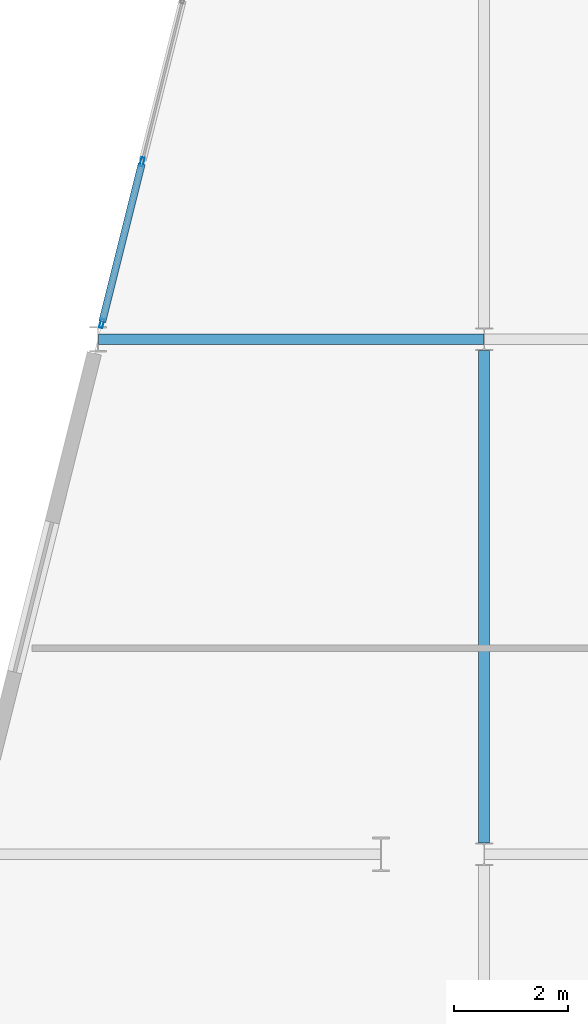
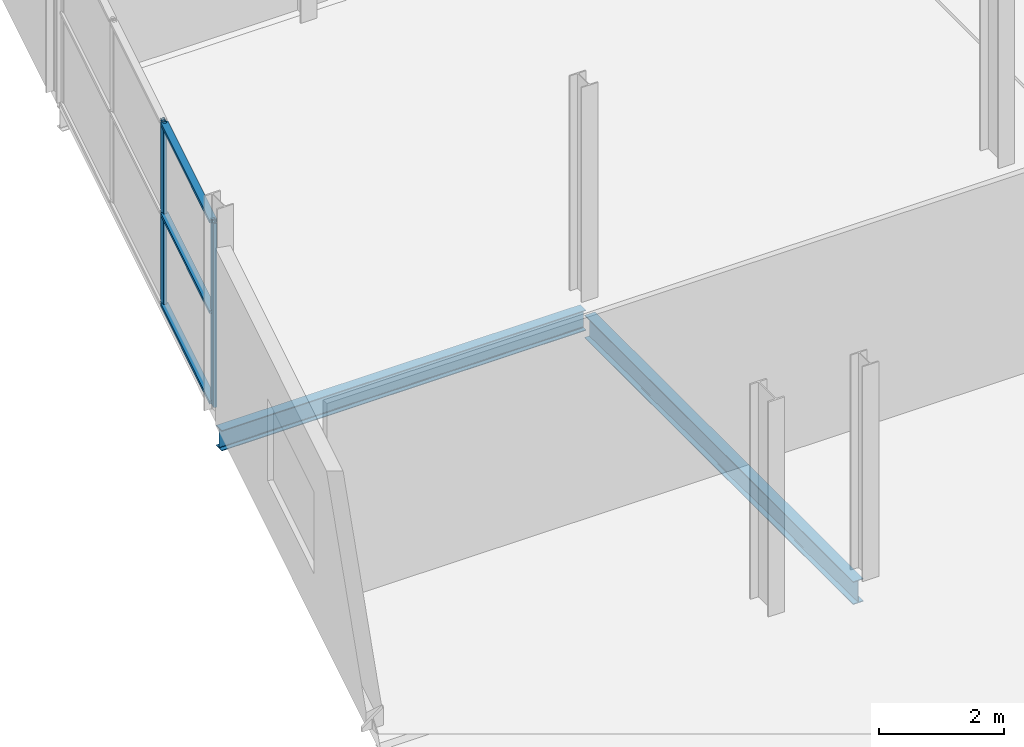
# One storey, part 44 of 103: 5 members, 2 beams, 1 element without a shape of its own.
"""IFC4 building model written with IfcOpenShell, lengths in metres."""

from ifc_helpers import new_model, si_unit, direction, frame, origin, origin_2d, place, context, subcontext, project, spatial, hollow_rectangle, i_section, extrude, material, layer, layer_set, material_profile, profile_set, type_object, element, aggregate, save


model = new_model("IFC4")

# Units and contexts
model_context = context("Model", 3, precision=1e-05, world=origin(), true_north=direction((0.0, 1.0)))
body_context = subcontext(model_context, "Body", "Model", "MODEL_VIEW")
ifc_project = project(units=[si_unit("LENGTHUNIT", "METRE"), si_unit("AREAUNIT", "SQUARE_METRE"), si_unit("VOLUMEUNIT", "CUBIC_METRE"), si_unit("PLANEANGLEUNIT", "RADIAN"), si_unit("MASSUNIT", "GRAM", prefix="KILO")], contexts=[model_context])

# Site, building, storey
site_placement = place(None, origin())
site = spatial("IfcSite", under=ifc_project, at=site_placement, CompositionType="ELEMENT")
building_placement = place(site_placement, origin())
building = spatial("IfcBuilding", under=site, at=building_placement, Name="Deido Ridge Mobility Hub", CompositionType="ELEMENT")
storey_placement = place(building_placement, frame((0.0, 0.0, 12.60009765625)))
storey = spatial("IfcBuildingStorey", under=building, at=storey_placement, Name="L03", CompositionType="ELEMENT", Elevation=12.60009765625)

# Beams
ifc_material_1 = material(Name="Steel S355J2 EN 10025-2", Category="steel")
ifc_material_profile_1 = material_profile(ifc_material_1, i_section(OverallWidth=0.179931640625, OverallDepth=0.39990234375, WebThickness=0.008544921875, FlangeThickness=0.013427734375, FilletRadius=0.02099609375, at=origin_2d()), Name="IPE 400")
ifc_profile_set_1 = profile_set([ifc_material_profile_1], Name="Steel S355J2 EN 10025-2")
beam_type_1 = type_object("IfcBeamType", Name="BM-IPE400", PredefinedType="BEAM", material=ifc_profile_set_1)
beam_1_placement = place(storey_placement, frame((128.257080078125, 27.0, -0.465087890625), z_axis=(1.0, 0.0, 0.0), x_axis=(0.0, 1.0, 0.0)))
element("IfcBeam", 1, at=beam_1_placement, inside=storey, type_object=beam_type_1, Name="Floor beam B5", PredefinedType="BEAM", context=body_context, shape_type="SweptSolid", body=[
    extrude(i_section(OverallWidth=0.179931640625, OverallDepth=0.39990234375, WebThickness=0.008544921875, FlangeThickness=0.013427734375, FilletRadius=0.02099609375, at=origin_2d()), origin(), (0.0, 0.0, 1.0), 6.736083984375),
])
ifc_material_profile_2 = material_profile(ifc_material_1, i_section(OverallWidth=0.18994140625, OverallDepth=0.449951171875, WebThickness=0.009521484375, FlangeThickness=0.0146484375, FilletRadius=0.02099609375, at=origin_2d()), Name="IPE 450")
ifc_profile_set_2 = profile_set([ifc_material_profile_2], Name="Steel S355J2 EN 10025-2")
beam_type_2 = type_object("IfcBeamType", Name="BM-IPE450", PredefinedType="BEAM", material=ifc_profile_set_2)
beam_2_placement = place(storey_placement, frame((135.0, 18.199951171875, -0.489990234375), z_axis=(0.0, 1.0, 0.0), x_axis=(-1.0, 0.0, 0.0)))
element("IfcBeam", 2, at=beam_2_placement, inside=storey, type_object=beam_type_2, Name="Floor beam B4", PredefinedType="BEAM", context=body_context, shape_type="SweptSolid", body=[
    extrude(i_section(OverallWidth=0.18994140625, OverallDepth=0.449951171875, WebThickness=0.009521484375, FlangeThickness=0.0146484375, FilletRadius=0.02099609375, at=origin_2d()), origin(), (0.0, 0.0, 1.0), 8.60009765625),
])

# Curtain wall, members
ifc_material_2 = material(Name="Anodised aluminium EN AW-6063 T6", Category="aluminium")
ifc_layer = layer(ifc_material_2, 0.2099609375, Name="Anodised aluminium EN AW-6063 T6")
ifc_layer_set = layer_set([ifc_layer], Name="Anodised aluminium EN AW-6063 T6")
curtain_wall_type = type_object("IfcCurtainWallType", Name="CW-UF-4", PredefinedType="USERDEFINED", material=ifc_layer_set)
curtain_wall_placement = place(storey_placement, origin())
curtain_wall = element("IfcCurtainWall", 3, at=curtain_wall_placement, inside=storey, type_object=curtain_wall_type, Name="Unitised curtain wall CW4", ObjectType="UNITISED FACADE", PredefinedType="USERDEFINED")
ifc_material_profile_3 = material_profile(ifc_material_2, hollow_rectangle(XDim=0.06005859375, YDim=0.159912109375, WallThickness=0.00390625, at=origin_2d()), Name="RHS 60x160x4")
ifc_profile_set_3 = profile_set([ifc_material_profile_3], Name="Anodised aluminium EN AW-6063 T6")
member_type_1 = type_object("IfcMemberType", Name="MEM-MUL-60X160", PredefinedType="MULLION", material=ifc_profile_set_3)
member_1_placement = place(storey_placement, frame((128.319091796875, 27.276123046875, 0.0), z_axis=(0.0, 0.0, 1.0), x_axis=(-0.970143835317, 0.242530284285, 0.0)))
member_1 = element("IfcMember", 4, at=member_1_placement, type_object=member_type_1, Name="CW4 mullion 1", PredefinedType="MULLION", context=body_context, shape_type="SweptSolid", body=[
    extrude(hollow_rectangle(XDim=0.06005859375, YDim=0.159912109375, WallThickness=0.00390625, at=origin_2d()), origin(), (0.0, 0.0, 1.0), 3.599853515625),
])
member_2_placement = place(storey_placement, frame((129.024169921875, 30.096435546875, 0.0), z_axis=(0.0, 0.0, 1.0), x_axis=(-0.970143835317, 0.242530284285, 0.0)))
member_2 = element("IfcMember", 5, at=member_2_placement, type_object=member_type_1, Name="CW4 mullion 2", PredefinedType="MULLION", context=body_context, shape_type="SweptSolid", body=[
    extrude(hollow_rectangle(XDim=0.06005859375, YDim=0.159912109375, WallThickness=0.00390625, at=origin_2d()), origin(), (0.0, 0.0, 1.0), 3.599853515625),
])
ifc_material_profile_4 = material_profile(ifc_material_2, hollow_rectangle(XDim=0.125, YDim=0.06005859375, WallThickness=0.00390625, at=origin_2d()), Name="RHS 125x60x4")
ifc_profile_set_4 = profile_set([ifc_material_profile_4], Name="Anodised aluminium EN AW-6063 T6")
member_type_2 = type_object("IfcMemberType", Name="MEM-TRN-125X60", PredefinedType="USERDEFINED", material=ifc_profile_set_4)
member_3_placement = place(storey_placement, frame((128.326416015625, 27.305419921875, 0.02978515625), z_axis=(0.242515447311, 0.970147544354, 0.0), x_axis=(-0.970147544354, 0.242515447311, 0.0)))
member_3 = element("IfcMember", 6, at=member_3_placement, type_object=member_type_2, Name="CW4 transom 1.1", ObjectType="TRANSOM", PredefinedType="USERDEFINED", context=body_context, shape_type="SweptSolid", body=[
    extrude(hollow_rectangle(XDim=0.125, YDim=0.06005859375, WallThickness=0.00390625, at=origin_2d()), origin(), (0.0, 0.0, 1.0), 2.846923828125),
])
member_4_placement = place(storey_placement, frame((128.326416015625, 27.305419921875, 1.7998046875), z_axis=(0.242515447311, 0.970147544354, 0.0), x_axis=(-0.970147544354, 0.242515447311, 0.0)))
member_4 = element("IfcMember", 7, at=member_4_placement, type_object=member_type_2, Name="CW4 transom 1.2", ObjectType="TRANSOM", PredefinedType="USERDEFINED", context=body_context, shape_type="SweptSolid", body=[
    extrude(hollow_rectangle(XDim=0.125, YDim=0.06005859375, WallThickness=0.00390625, at=origin_2d()), origin(), (0.0, 0.0, 1.0), 2.846923828125),
])
member_5_placement = place(storey_placement, frame((128.326416015625, 27.305419921875, 3.56982421875), z_axis=(0.242515447311, 0.970147544354, 0.0), x_axis=(-0.970147544354, 0.242515447311, 0.0)))
member_5 = element("IfcMember", 8, at=member_5_placement, type_object=member_type_2, Name="CW4 transom 1.3", ObjectType="TRANSOM", PredefinedType="USERDEFINED", context=body_context, shape_type="SweptSolid", body=[
    extrude(hollow_rectangle(XDim=0.125, YDim=0.06005859375, WallThickness=0.00390625, at=origin_2d()), origin(), (0.0, 0.0, 1.0), 2.846923828125),
])
aggregate(curtain_wall, [member_1, member_2, member_3, member_4, member_5])

save(model, "model.ifc")
